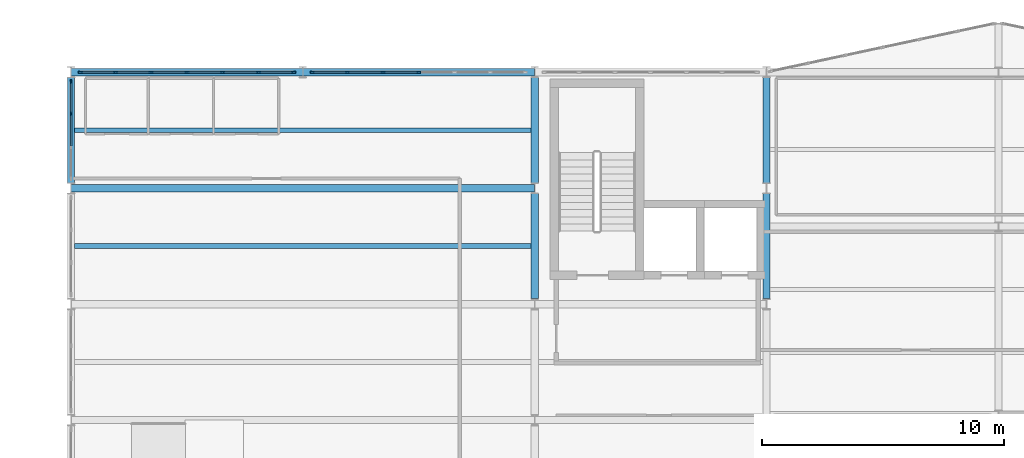
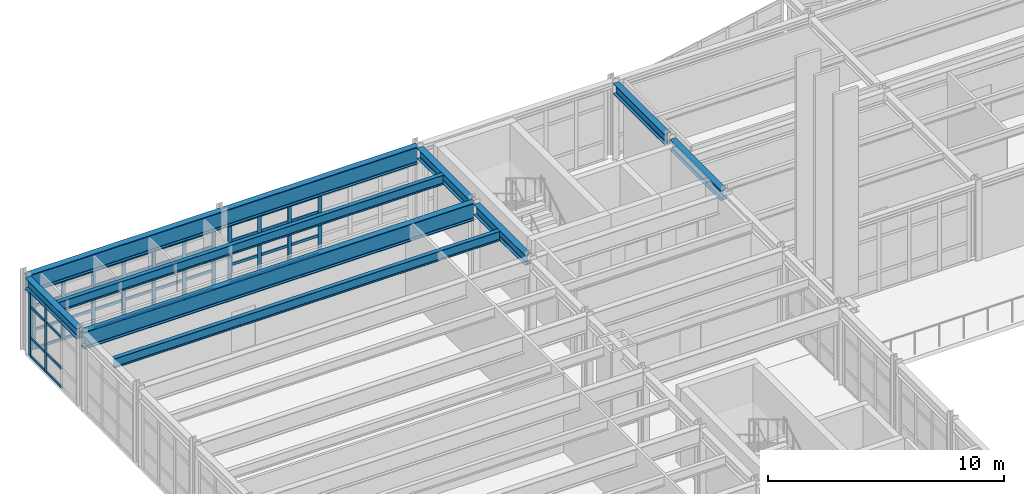
# One storey, part 20 of 47: 57 members, 9 beams, 3 elements without a shape of their own.
"""IFC4 building model written with IfcOpenShell, lengths in metres."""

from ifc_helpers import new_model, si_unit, direction, frame, origin, origin_2d, place, context, subcontext, project, spatial, rectangle, i_section, extrude, material, layer, layer_set, material_profile, profile_set, type_object, element, aggregate, save


model = new_model("IFC4")

# Units and contexts
model_context = context("Model", 3, precision=1e-05, world=origin(), true_north=direction((0.0, 1.0)))
body_context = subcontext(model_context, "Body", "Model", "MODEL_VIEW")
ifc_project = project(units=[si_unit("LENGTHUNIT", "METRE"), si_unit("AREAUNIT", "SQUARE_METRE"), si_unit("VOLUMEUNIT", "CUBIC_METRE"), si_unit("PLANEANGLEUNIT", "RADIAN"), si_unit("MASSUNIT", "GRAM", prefix="KILO")], contexts=[model_context])

# Site, building, storey
site_placement = place(None, origin())
site = spatial("IfcSite", under=ifc_project, at=site_placement, CompositionType="ELEMENT")
building_placement = place(site_placement, origin())
building = spatial("IfcBuilding", under=site, at=building_placement, Name="Nordkorset Police Headquarters", CompositionType="ELEMENT")
storey_placement = place(building_placement, frame((0.0, 0.0, 22.050048828125)))
storey = spatial("IfcBuildingStorey", under=building, at=storey_placement, Name="L05", CompositionType="ELEMENT", Elevation=22.050048828125)

# Beams
ifc_material_1 = material(Name="Steel S355J2", Category="steel")
ifc_material_profile_1 = material_profile(ifc_material_1, i_section(OverallWidth=0.199951171875, OverallDepth=0.5, WebThickness=0.01025390625, FlangeThickness=0.01611328125, FilletRadius=0.02099609375, at=origin_2d()), Name="IPE 500")
ifc_profile_set_1 = profile_set([ifc_material_profile_1], Name="Steel S355J2")
beam_type_1 = type_object("IfcBeamType", Name="Beam_IPE_500", PredefinedType="BEAM", material=ifc_profile_set_1)
for number, where, z_axis, x_axis, name in (
    (1, (0.14990234375, 109.60009765625, 3.75), (1.0, 0.0, 0.0), (0.0, 1.0, 0.0), "Composite Floor Beam V1 L05 0-5-1"),
    (2, (0.14990234375, 114.39990234375, 3.75), (1.0, 0.0, 0.0), (0.0, 1.0, 0.0), "Composite Floor Beam V1 L05 0-6-1"),
):
    element("IfcBeam", number, at=place(storey_placement, frame(where, z_axis=z_axis, x_axis=x_axis)), inside=storey, type_object=beam_type_1, Name=name, PredefinedType="BEAM", context=body_context, shape_type="SweptSolid", body=[
        extrude(i_section(OverallWidth=0.199951171875, OverallDepth=0.5, WebThickness=0.01025390625, FlangeThickness=0.01611328125, FilletRadius=0.02099609375, at=origin_2d()), origin(), (0.0, 0.0, 1.0), 18.900146484375),
    ])

# Curtain wall, members
ifc_material_2 = material(Name="Aluminium alloy AW-6060", Category="aluminium")
ifc_layer_1 = layer(ifc_material_2, 0.179931640625, Name="Aluminium alloy AW-6060")
ifc_layer_set_1 = layer_set([ifc_layer_1], Name="Aluminium alloy AW-6060")
curtain_wall_type_1 = type_object("IfcCurtainWallType", Name="CW_Unit_408x344", PredefinedType="USERDEFINED", material=ifc_layer_set_1)
curtain_wall_1_placement = place(storey_placement, origin())
curtain_wall_1 = element("IfcCurtainWall", 3, at=curtain_wall_1_placement, inside=storey, type_object=curtain_wall_type_1, Name="Unitised Curtain Wall L05 V1W-6", ObjectType="UNITISED CURTAIN WALL", PredefinedType="USERDEFINED")
ifc_material_3 = material(Name="Aluminium alloy AW-6060", Category="aluminium")
ifc_material_profile_2 = material_profile(ifc_material_3, rectangle(XDim=0.06494140625, YDim=0.179931640625, at=origin_2d()), Name="ALU MULL 65x180")
ifc_profile_set_2 = profile_set([ifc_material_profile_2], Name="Aluminium alloy AW-6060")
member_type_1 = type_object("IfcMemberType", Name="CW_Mullion_65x180", PredefinedType="MULLION", material=ifc_profile_set_2)
member_1_placement = place(storey_placement, frame((0.0, 115.080078125, 0.0), z_axis=(0.0, 0.0, 1.0), x_axis=(-1.0, 0.0, 0.0)))
member_1 = element("IfcMember", 4, at=member_1_placement, type_object=member_type_1, Name="CW-29 mullion 3", PredefinedType="MULLION", context=body_context, shape_type="SweptSolid", body=[
    extrude(rectangle(XDim=0.06494140625, YDim=0.179931640625, at=origin_2d()), origin(), (0.0, 0.0, 1.0), 3.43994140625),
])
member_2_placement = place(storey_placement, frame((0.0, 116.407470703125, 0.0), z_axis=(0.0, 0.0, 1.0), x_axis=(-1.0, 0.0, 0.0)))
member_2 = element("IfcMember", 5, at=member_2_placement, type_object=member_type_1, Name="CW-29 mullion 4", PredefinedType="MULLION", context=body_context, shape_type="SweptSolid", body=[
    extrude(rectangle(XDim=0.06494140625, YDim=0.179931640625, at=origin_2d()), origin(), (0.0, 0.0, 1.0), 3.43994140625),
])

ifc_material_4 = material(Name="Aluminium alloy AW-6060", Category="aluminium")
ifc_layer_2 = layer(ifc_material_4, 0.179931640625, Name="Aluminium alloy AW-6060")
ifc_layer_set_2 = layer_set([ifc_layer_2], Name="Aluminium alloy AW-6060")
curtain_wall_type_2 = type_object("IfcCurtainWallType", Name="CW_Unit_888x308", PredefinedType="USERDEFINED", material=ifc_layer_set_2)
curtain_wall_2_placement = place(storey_placement, origin())
curtain_wall_2 = element("IfcCurtainWall", 6, at=curtain_wall_2_placement, inside=storey, type_object=curtain_wall_type_2, Name="Unitised Curtain Wall L05 V1N-0", ObjectType="UNITISED CURTAIN WALL", PredefinedType="USERDEFINED")
member_3_placement = place(storey_placement, frame((0.392578125, 116.800048828125, 0.0), z_axis=(0.0, 0.0, 1.0), x_axis=(0.0, 1.0, 0.0)))
member_3 = element("IfcMember", 7, at=member_3_placement, type_object=member_type_1, Name="CW-81 mullion 1", PredefinedType="MULLION", context=body_context, shape_type="SweptSolid", body=[
    extrude(rectangle(XDim=0.06494140625, YDim=0.179931640625, at=origin_2d()), origin(), (0.0, 0.0, 1.0), 3.079833984375),
])
member_4_placement = place(storey_placement, frame((1.840087890625, 116.800048828125, 0.0), z_axis=(0.0, 0.0, 1.0), x_axis=(0.0, 1.0, 0.0)))
member_4 = element("IfcMember", 8, at=member_4_placement, type_object=member_type_1, Name="CW-81 mullion 2", PredefinedType="MULLION", context=body_context, shape_type="SweptSolid", body=[
    extrude(rectangle(XDim=0.06494140625, YDim=0.179931640625, at=origin_2d()), origin(), (0.0, 0.0, 1.0), 3.079833984375),
])
member_5_placement = place(storey_placement, frame((3.320068359375, 116.800048828125, 0.0), z_axis=(0.0, 0.0, 1.0), x_axis=(0.0, 1.0, 0.0)))
member_5 = element("IfcMember", 9, at=member_5_placement, type_object=member_type_1, Name="CW-81 mullion 3", PredefinedType="MULLION", context=body_context, shape_type="SweptSolid", body=[
    extrude(rectangle(XDim=0.06494140625, YDim=0.179931640625, at=origin_2d()), origin(), (0.0, 0.0, 1.0), 3.079833984375),
])
member_6_placement = place(storey_placement, frame((4.800048828125, 116.800048828125, 0.0), z_axis=(0.0, 0.0, 1.0), x_axis=(0.0, 1.0, 0.0)))
member_6 = element("IfcMember", 10, at=member_6_placement, type_object=member_type_1, Name="CW-81 mullion 4", PredefinedType="MULLION", context=body_context, shape_type="SweptSolid", body=[
    extrude(rectangle(XDim=0.06494140625, YDim=0.179931640625, at=origin_2d()), origin(), (0.0, 0.0, 1.0), 3.079833984375),
])
member_7_placement = place(storey_placement, frame((6.280029296875, 116.800048828125, 0.0), z_axis=(0.0, 0.0, 1.0), x_axis=(0.0, 1.0, 0.0)))
member_7 = element("IfcMember", 11, at=member_7_placement, type_object=member_type_1, Name="CW-81 mullion 5", PredefinedType="MULLION", context=body_context, shape_type="SweptSolid", body=[
    extrude(rectangle(XDim=0.06494140625, YDim=0.179931640625, at=origin_2d()), origin(), (0.0, 0.0, 1.0), 3.079833984375),
])
member_8_placement = place(storey_placement, frame((7.760009765625, 116.800048828125, 0.0), z_axis=(0.0, 0.0, 1.0), x_axis=(0.0, 1.0, 0.0)))
member_8 = element("IfcMember", 12, at=member_8_placement, type_object=member_type_1, Name="CW-81 mullion 6", PredefinedType="MULLION", context=body_context, shape_type="SweptSolid", body=[
    extrude(rectangle(XDim=0.06494140625, YDim=0.179931640625, at=origin_2d()), origin(), (0.0, 0.0, 1.0), 3.079833984375),
])
member_9_placement = place(storey_placement, frame((9.20751953125, 116.800048828125, 0.0), z_axis=(0.0, 0.0, 1.0), x_axis=(0.0, 1.0, 0.0)))
member_9 = element("IfcMember", 13, at=member_9_placement, type_object=member_type_1, Name="CW-81 mullion 7", PredefinedType="MULLION", context=body_context, shape_type="SweptSolid", body=[
    extrude(rectangle(XDim=0.06494140625, YDim=0.179931640625, at=origin_2d()), origin(), (0.0, 0.0, 1.0), 3.079833984375),
])

curtain_wall_3_placement = place(storey_placement, origin())
curtain_wall_3 = element("IfcCurtainWall", 14, at=curtain_wall_3_placement, inside=storey, type_object=curtain_wall_type_2, Name="Unitised Curtain Wall L05 V1N-1", ObjectType="UNITISED CURTAIN WALL", PredefinedType="USERDEFINED")
member_10_placement = place(storey_placement, frame((9.992431640625, 116.800048828125, 0.0), z_axis=(0.0, 0.0, 1.0), x_axis=(0.0, 1.0, 0.0)))
member_10 = element("IfcMember", 15, at=member_10_placement, type_object=member_type_1, Name="CW-81 mullion 1", PredefinedType="MULLION", context=body_context, shape_type="SweptSolid", body=[
    extrude(rectangle(XDim=0.06494140625, YDim=0.179931640625, at=origin_2d()), origin(), (0.0, 0.0, 1.0), 3.079833984375),
])
member_11_placement = place(storey_placement, frame((11.43994140625, 116.800048828125, 0.0), z_axis=(0.0, 0.0, 1.0), x_axis=(0.0, 1.0, 0.0)))
member_11 = element("IfcMember", 16, at=member_11_placement, type_object=member_type_1, Name="CW-81 mullion 2", PredefinedType="MULLION", context=body_context, shape_type="SweptSolid", body=[
    extrude(rectangle(XDim=0.06494140625, YDim=0.179931640625, at=origin_2d()), origin(), (0.0, 0.0, 1.0), 3.079833984375),
])
member_12_placement = place(storey_placement, frame((12.919921875, 116.800048828125, 0.0), z_axis=(0.0, 0.0, 1.0), x_axis=(0.0, 1.0, 0.0)))
member_12 = element("IfcMember", 17, at=member_12_placement, type_object=member_type_1, Name="CW-81 mullion 3", PredefinedType="MULLION", context=body_context, shape_type="SweptSolid", body=[
    extrude(rectangle(XDim=0.06494140625, YDim=0.179931640625, at=origin_2d()), origin(), (0.0, 0.0, 1.0), 3.079833984375),
])
member_13_placement = place(storey_placement, frame((14.39990234375, 116.800048828125, 0.0), z_axis=(0.0, 0.0, 1.0), x_axis=(0.0, 1.0, 0.0)))
member_13 = element("IfcMember", 18, at=member_13_placement, type_object=member_type_1, Name="CW-81 mullion 4", PredefinedType="MULLION", context=body_context, shape_type="SweptSolid", body=[
    extrude(rectangle(XDim=0.06494140625, YDim=0.179931640625, at=origin_2d()), origin(), (0.0, 0.0, 1.0), 3.079833984375),
])

# Member
ifc_material_5 = material(Name="Aluminium alloy AW-6060", Category="aluminium")
ifc_material_profile_3 = material_profile(ifc_material_5, rectangle(XDim=0.06494140625, YDim=0.139892578125, at=origin_2d()), Name="ALU TRAN 65x140")
ifc_profile_set_3 = profile_set([ifc_material_profile_3], Name="Aluminium alloy AW-6060")
member_type_2 = type_object("IfcMemberType", Name="CW_Transom_65x140", PredefinedType="USERDEFINED", material=ifc_profile_set_3)
member_14_placement = place(storey_placement, frame((0.0, 113.75244140625, 0.032470703125), z_axis=(0.0, 1.0, 0.0), x_axis=(-1.0, 0.0, 0.0)))
member_14 = element("IfcMember", 19, at=member_14_placement, type_object=member_type_2, Name="CW-29 transom 2.1", ObjectType="TRANSOM", PredefinedType="USERDEFINED", context=body_context, shape_type="SweptSolid", body=[
    extrude(rectangle(XDim=0.06494140625, YDim=0.139892578125, at=origin_2d()), origin(), (0.0, 0.0, 1.0), 1.295166015625),
])

member_15_placement = place(storey_placement, frame((0.0, 113.75244140625, 1.0), z_axis=(0.0, 1.0, 0.0), x_axis=(-1.0, 0.0, 0.0)))
member_15 = element("IfcMember", 20, at=member_15_placement, type_object=member_type_2, Name="CW-29 transom 2.2", ObjectType="TRANSOM", PredefinedType="USERDEFINED", context=body_context, shape_type="SweptSolid", body=[
    extrude(rectangle(XDim=0.06494140625, YDim=0.139892578125, at=origin_2d()), origin(), (0.0, 0.0, 1.0), 1.295166015625),
])

member_16_placement = place(storey_placement, frame((0.0, 113.75244140625, 2.58984375), z_axis=(0.0, 1.0, 0.0), x_axis=(-1.0, 0.0, 0.0)))
member_16 = element("IfcMember", 21, at=member_16_placement, type_object=member_type_2, Name="CW-29 transom 2.3", ObjectType="TRANSOM", PredefinedType="USERDEFINED", context=body_context, shape_type="SweptSolid", body=[
    extrude(rectangle(XDim=0.06494140625, YDim=0.139892578125, at=origin_2d()), origin(), (0.0, 0.0, 1.0), 1.295166015625),
])

member_17_placement = place(storey_placement, frame((0.0, 113.75244140625, 3.407470703125), z_axis=(0.0, 1.0, 0.0), x_axis=(-1.0, 0.0, 0.0)))
member_17 = element("IfcMember", 22, at=member_17_placement, type_object=member_type_2, Name="CW-29 transom 2.4", ObjectType="TRANSOM", PredefinedType="USERDEFINED", context=body_context, shape_type="SweptSolid", body=[
    extrude(rectangle(XDim=0.06494140625, YDim=0.139892578125, at=origin_2d()), origin(), (0.0, 0.0, 1.0), 1.295166015625),
])

member_18_placement = place(storey_placement, frame((0.0, 115.112548828125, 0.032470703125), z_axis=(0.0, 1.0, 0.0), x_axis=(-1.0, 0.0, 0.0)))
member_18 = element("IfcMember", 23, at=member_18_placement, type_object=member_type_2, Name="CW-29 transom 3.1", ObjectType="TRANSOM", PredefinedType="USERDEFINED", context=body_context, shape_type="SweptSolid", body=[
    extrude(rectangle(XDim=0.06494140625, YDim=0.139892578125, at=origin_2d()), origin(), (0.0, 0.0, 1.0), 1.262451171875),
])

member_19_placement = place(storey_placement, frame((0.0, 115.112548828125, 1.0), z_axis=(0.0, 1.0, 0.0), x_axis=(-1.0, 0.0, 0.0)))
member_19 = element("IfcMember", 24, at=member_19_placement, type_object=member_type_2, Name="CW-29 transom 3.2", ObjectType="TRANSOM", PredefinedType="USERDEFINED", context=body_context, shape_type="SweptSolid", body=[
    extrude(rectangle(XDim=0.06494140625, YDim=0.139892578125, at=origin_2d()), origin(), (0.0, 0.0, 1.0), 1.262451171875),
])

member_20_placement = place(storey_placement, frame((0.0, 115.112548828125, 2.58984375), z_axis=(0.0, 1.0, 0.0), x_axis=(-1.0, 0.0, 0.0)))
member_20 = element("IfcMember", 25, at=member_20_placement, type_object=member_type_2, Name="CW-29 transom 3.3", ObjectType="TRANSOM", PredefinedType="USERDEFINED", context=body_context, shape_type="SweptSolid", body=[
    extrude(rectangle(XDim=0.06494140625, YDim=0.139892578125, at=origin_2d()), origin(), (0.0, 0.0, 1.0), 1.262451171875),
])

member_21_placement = place(storey_placement, frame((0.0, 115.112548828125, 3.407470703125), z_axis=(0.0, 1.0, 0.0), x_axis=(-1.0, 0.0, 0.0)))
member_21 = element("IfcMember", 26, at=member_21_placement, type_object=member_type_2, Name="CW-29 transom 3.4", ObjectType="TRANSOM", PredefinedType="USERDEFINED", context=body_context, shape_type="SweptSolid", body=[
    extrude(rectangle(XDim=0.06494140625, YDim=0.139892578125, at=origin_2d()), origin(), (0.0, 0.0, 1.0), 1.262451171875),
])

aggregate(curtain_wall_1, [member_1, member_2, member_14, member_15, member_16, member_17, member_18, member_19, member_20, member_21])

member_22_placement = place(storey_placement, frame((0.425048828125, 116.800048828125, 0.032470703125), z_axis=(1.0, 0.0, 0.0), x_axis=(0.0, 1.0, 0.0)))
member_22 = element("IfcMember", 27, at=member_22_placement, type_object=member_type_2, Name="CW-81 transom 1.1", ObjectType="TRANSOM", PredefinedType="USERDEFINED", context=body_context, shape_type="SweptSolid", body=[
    extrude(rectangle(XDim=0.06494140625, YDim=0.139892578125, at=origin_2d()), origin(), (0.0, 0.0, 1.0), 1.382568359375),
])

member_23_placement = place(storey_placement, frame((0.425048828125, 116.800048828125, 1.0), z_axis=(1.0, 0.0, 0.0), x_axis=(0.0, 1.0, 0.0)))
member_23 = element("IfcMember", 28, at=member_23_placement, type_object=member_type_2, Name="CW-81 transom 1.2", ObjectType="TRANSOM", PredefinedType="USERDEFINED", context=body_context, shape_type="SweptSolid", body=[
    extrude(rectangle(XDim=0.06494140625, YDim=0.139892578125, at=origin_2d()), origin(), (0.0, 0.0, 1.0), 1.382568359375),
])

member_24_placement = place(storey_placement, frame((0.425048828125, 116.800048828125, 2.22998046875), z_axis=(1.0, 0.0, 0.0), x_axis=(0.0, 1.0, 0.0)))
member_24 = element("IfcMember", 29, at=member_24_placement, type_object=member_type_2, Name="CW-81 transom 1.3", ObjectType="TRANSOM", PredefinedType="USERDEFINED", context=body_context, shape_type="SweptSolid", body=[
    extrude(rectangle(XDim=0.06494140625, YDim=0.139892578125, at=origin_2d()), origin(), (0.0, 0.0, 1.0), 1.382568359375),
])

member_25_placement = place(storey_placement, frame((0.425048828125, 116.800048828125, 3.04736328125), z_axis=(1.0, 0.0, 0.0), x_axis=(0.0, 1.0, 0.0)))
member_25 = element("IfcMember", 30, at=member_25_placement, type_object=member_type_2, Name="CW-81 transom 1.4", ObjectType="TRANSOM", PredefinedType="USERDEFINED", context=body_context, shape_type="SweptSolid", body=[
    extrude(rectangle(XDim=0.06494140625, YDim=0.139892578125, at=origin_2d()), origin(), (0.0, 0.0, 1.0), 1.382568359375),
])

member_26_placement = place(storey_placement, frame((1.87255859375, 116.800048828125, 0.032470703125), z_axis=(1.0, 0.0, 0.0), x_axis=(0.0, 1.0, 0.0)))
member_26 = element("IfcMember", 31, at=member_26_placement, type_object=member_type_2, Name="CW-81 transom 2.1", ObjectType="TRANSOM", PredefinedType="USERDEFINED", context=body_context, shape_type="SweptSolid", body=[
    extrude(rectangle(XDim=0.06494140625, YDim=0.139892578125, at=origin_2d()), origin(), (0.0, 0.0, 1.0), 1.4150390625),
])

member_27_placement = place(storey_placement, frame((1.87255859375, 116.800048828125, 1.0), z_axis=(1.0, 0.0, 0.0), x_axis=(0.0, 1.0, 0.0)))
member_27 = element("IfcMember", 32, at=member_27_placement, type_object=member_type_2, Name="CW-81 transom 2.2", ObjectType="TRANSOM", PredefinedType="USERDEFINED", context=body_context, shape_type="SweptSolid", body=[
    extrude(rectangle(XDim=0.06494140625, YDim=0.139892578125, at=origin_2d()), origin(), (0.0, 0.0, 1.0), 1.4150390625),
])

member_28_placement = place(storey_placement, frame((1.87255859375, 116.800048828125, 2.22998046875), z_axis=(1.0, 0.0, 0.0), x_axis=(0.0, 1.0, 0.0)))
member_28 = element("IfcMember", 33, at=member_28_placement, type_object=member_type_2, Name="CW-81 transom 2.3", ObjectType="TRANSOM", PredefinedType="USERDEFINED", context=body_context, shape_type="SweptSolid", body=[
    extrude(rectangle(XDim=0.06494140625, YDim=0.139892578125, at=origin_2d()), origin(), (0.0, 0.0, 1.0), 1.4150390625),
])

member_29_placement = place(storey_placement, frame((1.87255859375, 116.800048828125, 3.04736328125), z_axis=(1.0, 0.0, 0.0), x_axis=(0.0, 1.0, 0.0)))
member_29 = element("IfcMember", 34, at=member_29_placement, type_object=member_type_2, Name="CW-81 transom 2.4", ObjectType="TRANSOM", PredefinedType="USERDEFINED", context=body_context, shape_type="SweptSolid", body=[
    extrude(rectangle(XDim=0.06494140625, YDim=0.139892578125, at=origin_2d()), origin(), (0.0, 0.0, 1.0), 1.4150390625),
])

member_30_placement = place(storey_placement, frame((3.3525390625, 116.800048828125, 0.032470703125), z_axis=(1.0, 0.0, 0.0), x_axis=(0.0, 1.0, 0.0)))
member_30 = element("IfcMember", 35, at=member_30_placement, type_object=member_type_2, Name="CW-81 transom 3.1", ObjectType="TRANSOM", PredefinedType="USERDEFINED", context=body_context, shape_type="SweptSolid", body=[
    extrude(rectangle(XDim=0.06494140625, YDim=0.139892578125, at=origin_2d()), origin(), (0.0, 0.0, 1.0), 1.4150390625),
])

member_31_placement = place(storey_placement, frame((3.3525390625, 116.800048828125, 1.0), z_axis=(1.0, 0.0, 0.0), x_axis=(0.0, 1.0, 0.0)))
member_31 = element("IfcMember", 36, at=member_31_placement, type_object=member_type_2, Name="CW-81 transom 3.2", ObjectType="TRANSOM", PredefinedType="USERDEFINED", context=body_context, shape_type="SweptSolid", body=[
    extrude(rectangle(XDim=0.06494140625, YDim=0.139892578125, at=origin_2d()), origin(), (0.0, 0.0, 1.0), 1.4150390625),
])

member_32_placement = place(storey_placement, frame((3.3525390625, 116.800048828125, 2.22998046875), z_axis=(1.0, 0.0, 0.0), x_axis=(0.0, 1.0, 0.0)))
member_32 = element("IfcMember", 37, at=member_32_placement, type_object=member_type_2, Name="CW-81 transom 3.3", ObjectType="TRANSOM", PredefinedType="USERDEFINED", context=body_context, shape_type="SweptSolid", body=[
    extrude(rectangle(XDim=0.06494140625, YDim=0.139892578125, at=origin_2d()), origin(), (0.0, 0.0, 1.0), 1.4150390625),
])

member_33_placement = place(storey_placement, frame((3.3525390625, 116.800048828125, 3.04736328125), z_axis=(1.0, 0.0, 0.0), x_axis=(0.0, 1.0, 0.0)))
member_33 = element("IfcMember", 38, at=member_33_placement, type_object=member_type_2, Name="CW-81 transom 3.4", ObjectType="TRANSOM", PredefinedType="USERDEFINED", context=body_context, shape_type="SweptSolid", body=[
    extrude(rectangle(XDim=0.06494140625, YDim=0.139892578125, at=origin_2d()), origin(), (0.0, 0.0, 1.0), 1.4150390625),
])

member_34_placement = place(storey_placement, frame((4.83251953125, 116.800048828125, 0.032470703125), z_axis=(1.0, 0.0, 0.0), x_axis=(0.0, 1.0, 0.0)))
member_34 = element("IfcMember", 39, at=member_34_placement, type_object=member_type_2, Name="CW-81 transom 4.1", ObjectType="TRANSOM", PredefinedType="USERDEFINED", context=body_context, shape_type="SweptSolid", body=[
    extrude(rectangle(XDim=0.06494140625, YDim=0.139892578125, at=origin_2d()), origin(), (0.0, 0.0, 1.0), 1.4150390625),
])

member_35_placement = place(storey_placement, frame((4.83251953125, 116.800048828125, 1.0), z_axis=(1.0, 0.0, 0.0), x_axis=(0.0, 1.0, 0.0)))
member_35 = element("IfcMember", 40, at=member_35_placement, type_object=member_type_2, Name="CW-81 transom 4.2", ObjectType="TRANSOM", PredefinedType="USERDEFINED", context=body_context, shape_type="SweptSolid", body=[
    extrude(rectangle(XDim=0.06494140625, YDim=0.139892578125, at=origin_2d()), origin(), (0.0, 0.0, 1.0), 1.4150390625),
])

member_36_placement = place(storey_placement, frame((4.83251953125, 116.800048828125, 2.22998046875), z_axis=(1.0, 0.0, 0.0), x_axis=(0.0, 1.0, 0.0)))
member_36 = element("IfcMember", 41, at=member_36_placement, type_object=member_type_2, Name="CW-81 transom 4.3", ObjectType="TRANSOM", PredefinedType="USERDEFINED", context=body_context, shape_type="SweptSolid", body=[
    extrude(rectangle(XDim=0.06494140625, YDim=0.139892578125, at=origin_2d()), origin(), (0.0, 0.0, 1.0), 1.4150390625),
])

member_37_placement = place(storey_placement, frame((4.83251953125, 116.800048828125, 3.04736328125), z_axis=(1.0, 0.0, 0.0), x_axis=(0.0, 1.0, 0.0)))
member_37 = element("IfcMember", 42, at=member_37_placement, type_object=member_type_2, Name="CW-81 transom 4.4", ObjectType="TRANSOM", PredefinedType="USERDEFINED", context=body_context, shape_type="SweptSolid", body=[
    extrude(rectangle(XDim=0.06494140625, YDim=0.139892578125, at=origin_2d()), origin(), (0.0, 0.0, 1.0), 1.4150390625),
])

member_38_placement = place(storey_placement, frame((6.3125, 116.800048828125, 0.032470703125), z_axis=(1.0, 0.0, 0.0), x_axis=(0.0, 1.0, 0.0)))
member_38 = element("IfcMember", 43, at=member_38_placement, type_object=member_type_2, Name="CW-81 transom 5.1", ObjectType="TRANSOM", PredefinedType="USERDEFINED", context=body_context, shape_type="SweptSolid", body=[
    extrude(rectangle(XDim=0.06494140625, YDim=0.139892578125, at=origin_2d()), origin(), (0.0, 0.0, 1.0), 1.4150390625),
])

member_39_placement = place(storey_placement, frame((6.3125, 116.800048828125, 1.0), z_axis=(1.0, 0.0, 0.0), x_axis=(0.0, 1.0, 0.0)))
member_39 = element("IfcMember", 44, at=member_39_placement, type_object=member_type_2, Name="CW-81 transom 5.2", ObjectType="TRANSOM", PredefinedType="USERDEFINED", context=body_context, shape_type="SweptSolid", body=[
    extrude(rectangle(XDim=0.06494140625, YDim=0.139892578125, at=origin_2d()), origin(), (0.0, 0.0, 1.0), 1.4150390625),
])

member_40_placement = place(storey_placement, frame((6.3125, 116.800048828125, 2.22998046875), z_axis=(1.0, 0.0, 0.0), x_axis=(0.0, 1.0, 0.0)))
member_40 = element("IfcMember", 45, at=member_40_placement, type_object=member_type_2, Name="CW-81 transom 5.3", ObjectType="TRANSOM", PredefinedType="USERDEFINED", context=body_context, shape_type="SweptSolid", body=[
    extrude(rectangle(XDim=0.06494140625, YDim=0.139892578125, at=origin_2d()), origin(), (0.0, 0.0, 1.0), 1.4150390625),
])

member_41_placement = place(storey_placement, frame((6.3125, 116.800048828125, 3.04736328125), z_axis=(1.0, 0.0, 0.0), x_axis=(0.0, 1.0, 0.0)))
member_41 = element("IfcMember", 46, at=member_41_placement, type_object=member_type_2, Name="CW-81 transom 5.4", ObjectType="TRANSOM", PredefinedType="USERDEFINED", context=body_context, shape_type="SweptSolid", body=[
    extrude(rectangle(XDim=0.06494140625, YDim=0.139892578125, at=origin_2d()), origin(), (0.0, 0.0, 1.0), 1.4150390625),
])

member_42_placement = place(storey_placement, frame((7.79248046875, 116.800048828125, 0.032470703125), z_axis=(1.0, 0.0, 0.0), x_axis=(0.0, 1.0, 0.0)))
member_42 = element("IfcMember", 47, at=member_42_placement, type_object=member_type_2, Name="CW-81 transom 6.1", ObjectType="TRANSOM", PredefinedType="USERDEFINED", context=body_context, shape_type="SweptSolid", body=[
    extrude(rectangle(XDim=0.06494140625, YDim=0.139892578125, at=origin_2d()), origin(), (0.0, 0.0, 1.0), 1.382568359375),
])

member_43_placement = place(storey_placement, frame((7.79248046875, 116.800048828125, 1.0), z_axis=(1.0, 0.0, 0.0), x_axis=(0.0, 1.0, 0.0)))
member_43 = element("IfcMember", 48, at=member_43_placement, type_object=member_type_2, Name="CW-81 transom 6.2", ObjectType="TRANSOM", PredefinedType="USERDEFINED", context=body_context, shape_type="SweptSolid", body=[
    extrude(rectangle(XDim=0.06494140625, YDim=0.139892578125, at=origin_2d()), origin(), (0.0, 0.0, 1.0), 1.382568359375),
])

member_44_placement = place(storey_placement, frame((7.79248046875, 116.800048828125, 2.22998046875), z_axis=(1.0, 0.0, 0.0), x_axis=(0.0, 1.0, 0.0)))
member_44 = element("IfcMember", 49, at=member_44_placement, type_object=member_type_2, Name="CW-81 transom 6.3", ObjectType="TRANSOM", PredefinedType="USERDEFINED", context=body_context, shape_type="SweptSolid", body=[
    extrude(rectangle(XDim=0.06494140625, YDim=0.139892578125, at=origin_2d()), origin(), (0.0, 0.0, 1.0), 1.382568359375),
])

member_45_placement = place(storey_placement, frame((7.79248046875, 116.800048828125, 3.04736328125), z_axis=(1.0, 0.0, 0.0), x_axis=(0.0, 1.0, 0.0)))
member_45 = element("IfcMember", 50, at=member_45_placement, type_object=member_type_2, Name="CW-81 transom 6.4", ObjectType="TRANSOM", PredefinedType="USERDEFINED", context=body_context, shape_type="SweptSolid", body=[
    extrude(rectangle(XDim=0.06494140625, YDim=0.139892578125, at=origin_2d()), origin(), (0.0, 0.0, 1.0), 1.382568359375),
])

aggregate(curtain_wall_2, [member_3, member_4, member_5, member_6, member_7, member_8, member_9, member_22, member_23, member_24, member_25, member_26, member_27, member_28, member_29, member_30, member_31, member_32, member_33, member_34, member_35, member_36, member_37, member_38, member_39, member_40, member_41, member_42, member_43, member_44, member_45])

member_46_placement = place(storey_placement, frame((10.02490234375, 116.800048828125, 0.032470703125), z_axis=(1.0, 0.0, 0.0), x_axis=(0.0, 1.0, 0.0)))
member_46 = element("IfcMember", 51, at=member_46_placement, type_object=member_type_2, Name="CW-81 transom 1.1", ObjectType="TRANSOM", PredefinedType="USERDEFINED", context=body_context, shape_type="SweptSolid", body=[
    extrude(rectangle(XDim=0.06494140625, YDim=0.139892578125, at=origin_2d()), origin(), (0.0, 0.0, 1.0), 1.382568359375),
])

member_47_placement = place(storey_placement, frame((10.02490234375, 116.800048828125, 1.0), z_axis=(1.0, 0.0, 0.0), x_axis=(0.0, 1.0, 0.0)))
member_47 = element("IfcMember", 52, at=member_47_placement, type_object=member_type_2, Name="CW-81 transom 1.2", ObjectType="TRANSOM", PredefinedType="USERDEFINED", context=body_context, shape_type="SweptSolid", body=[
    extrude(rectangle(XDim=0.06494140625, YDim=0.139892578125, at=origin_2d()), origin(), (0.0, 0.0, 1.0), 1.382568359375),
])

member_48_placement = place(storey_placement, frame((10.02490234375, 116.800048828125, 2.22998046875), z_axis=(1.0, 0.0, 0.0), x_axis=(0.0, 1.0, 0.0)))
member_48 = element("IfcMember", 53, at=member_48_placement, type_object=member_type_2, Name="CW-81 transom 1.3", ObjectType="TRANSOM", PredefinedType="USERDEFINED", context=body_context, shape_type="SweptSolid", body=[
    extrude(rectangle(XDim=0.06494140625, YDim=0.139892578125, at=origin_2d()), origin(), (0.0, 0.0, 1.0), 1.382568359375),
])

member_49_placement = place(storey_placement, frame((10.02490234375, 116.800048828125, 3.04736328125), z_axis=(1.0, 0.0, 0.0), x_axis=(0.0, 1.0, 0.0)))
member_49 = element("IfcMember", 54, at=member_49_placement, type_object=member_type_2, Name="CW-81 transom 1.4", ObjectType="TRANSOM", PredefinedType="USERDEFINED", context=body_context, shape_type="SweptSolid", body=[
    extrude(rectangle(XDim=0.06494140625, YDim=0.139892578125, at=origin_2d()), origin(), (0.0, 0.0, 1.0), 1.382568359375),
])

member_50_placement = place(storey_placement, frame((11.472412109375, 116.800048828125, 0.032470703125), z_axis=(1.0, 0.0, 0.0), x_axis=(0.0, 1.0, 0.0)))
member_50 = element("IfcMember", 55, at=member_50_placement, type_object=member_type_2, Name="CW-81 transom 2.1", ObjectType="TRANSOM", PredefinedType="USERDEFINED", context=body_context, shape_type="SweptSolid", body=[
    extrude(rectangle(XDim=0.06494140625, YDim=0.139892578125, at=origin_2d()), origin(), (0.0, 0.0, 1.0), 1.4150390625),
])

member_51_placement = place(storey_placement, frame((11.472412109375, 116.800048828125, 1.0), z_axis=(1.0, 0.0, 0.0), x_axis=(0.0, 1.0, 0.0)))
member_51 = element("IfcMember", 56, at=member_51_placement, type_object=member_type_2, Name="CW-81 transom 2.2", ObjectType="TRANSOM", PredefinedType="USERDEFINED", context=body_context, shape_type="SweptSolid", body=[
    extrude(rectangle(XDim=0.06494140625, YDim=0.139892578125, at=origin_2d()), origin(), (0.0, 0.0, 1.0), 1.4150390625),
])

member_52_placement = place(storey_placement, frame((11.472412109375, 116.800048828125, 2.22998046875), z_axis=(1.0, 0.0, 0.0), x_axis=(0.0, 1.0, 0.0)))
member_52 = element("IfcMember", 57, at=member_52_placement, type_object=member_type_2, Name="CW-81 transom 2.3", ObjectType="TRANSOM", PredefinedType="USERDEFINED", context=body_context, shape_type="SweptSolid", body=[
    extrude(rectangle(XDim=0.06494140625, YDim=0.139892578125, at=origin_2d()), origin(), (0.0, 0.0, 1.0), 1.4150390625),
])

member_53_placement = place(storey_placement, frame((11.472412109375, 116.800048828125, 3.04736328125), z_axis=(1.0, 0.0, 0.0), x_axis=(0.0, 1.0, 0.0)))
member_53 = element("IfcMember", 58, at=member_53_placement, type_object=member_type_2, Name="CW-81 transom 2.4", ObjectType="TRANSOM", PredefinedType="USERDEFINED", context=body_context, shape_type="SweptSolid", body=[
    extrude(rectangle(XDim=0.06494140625, YDim=0.139892578125, at=origin_2d()), origin(), (0.0, 0.0, 1.0), 1.4150390625),
])

member_54_placement = place(storey_placement, frame((12.952392578125, 116.800048828125, 0.032470703125), z_axis=(1.0, 0.0, 0.0), x_axis=(0.0, 1.0, 0.0)))
member_54 = element("IfcMember", 59, at=member_54_placement, type_object=member_type_2, Name="CW-81 transom 3.1", ObjectType="TRANSOM", PredefinedType="USERDEFINED", context=body_context, shape_type="SweptSolid", body=[
    extrude(rectangle(XDim=0.06494140625, YDim=0.139892578125, at=origin_2d()), origin(), (0.0, 0.0, 1.0), 1.4150390625),
])

member_55_placement = place(storey_placement, frame((12.952392578125, 116.800048828125, 1.0), z_axis=(1.0, 0.0, 0.0), x_axis=(0.0, 1.0, 0.0)))
member_55 = element("IfcMember", 60, at=member_55_placement, type_object=member_type_2, Name="CW-81 transom 3.2", ObjectType="TRANSOM", PredefinedType="USERDEFINED", context=body_context, shape_type="SweptSolid", body=[
    extrude(rectangle(XDim=0.06494140625, YDim=0.139892578125, at=origin_2d()), origin(), (0.0, 0.0, 1.0), 1.4150390625),
])

member_56_placement = place(storey_placement, frame((12.952392578125, 116.800048828125, 2.22998046875), z_axis=(1.0, 0.0, 0.0), x_axis=(0.0, 1.0, 0.0)))
member_56 = element("IfcMember", 61, at=member_56_placement, type_object=member_type_2, Name="CW-81 transom 3.3", ObjectType="TRANSOM", PredefinedType="USERDEFINED", context=body_context, shape_type="SweptSolid", body=[
    extrude(rectangle(XDim=0.06494140625, YDim=0.139892578125, at=origin_2d()), origin(), (0.0, 0.0, 1.0), 1.4150390625),
])

member_57_placement = place(storey_placement, frame((12.952392578125, 116.800048828125, 3.04736328125), z_axis=(1.0, 0.0, 0.0), x_axis=(0.0, 1.0, 0.0)))
member_57 = element("IfcMember", 62, at=member_57_placement, type_object=member_type_2, Name="CW-81 transom 3.4", ObjectType="TRANSOM", PredefinedType="USERDEFINED", context=body_context, shape_type="SweptSolid", body=[
    extrude(rectangle(XDim=0.06494140625, YDim=0.139892578125, at=origin_2d()), origin(), (0.0, 0.0, 1.0), 1.4150390625),
])

aggregate(curtain_wall_3, [member_10, member_11, member_12, member_13, member_46, member_47, member_48, member_49, member_50, member_51, member_52, member_53, member_54, member_55, member_56, member_57])

# Beams
ifc_material_6 = material(Name="Steel S355J2", Category="steel")
ifc_material_profile_4 = material_profile(ifc_material_6, i_section(OverallWidth=0.300048828125, OverallDepth=0.5400390625, WebThickness=0.012451171875, FlangeThickness=0.02392578125, FilletRadius=0.027099609375, at=origin_2d()), Name="HEA 550")
ifc_profile_set_4 = profile_set([ifc_material_profile_4], Name="Steel S355J2")
beam_type_2 = type_object("IfcBeamType", Name="Girder_HEA_550", PredefinedType="USERDEFINED", material=ifc_profile_set_4)
for number, where, z_axis, x_axis, name in (
    (63, (0.0, 112.22509765625, 3.72998046875), (0.0, 1.0, 0.0), (-1.0, 0.0, 0.0), "Girder V1 L05 GY-0-6"),
    (64, (19.199951171875, 107.425048828125, 3.72998046875), (0.0, 1.0, 0.0), (-1.0, 0.0, 0.0), "Girder V1 L05 GY-1-5"),
    (65, (19.199951171875, 112.22509765625, 3.72998046875), (0.0, 1.0, 0.0), (-1.0, 0.0, 0.0), "Girder V1 L05 GY-1-6"),
    (66, (28.800048828125, 107.425048828125, 3.72998046875), (0.0, 1.0, 0.0), (-1.0, 0.0, 0.0), "Girder V1 L05 GY-2-5"),
    (67, (28.800048828125, 112.22509765625, 3.72998046875), (0.0, 1.0, 0.0), (-1.0, 0.0, 0.0), "Girder V1 L05 GY-2-6"),
):
    element("IfcBeam", number, at=place(storey_placement, frame(where, z_axis=z_axis, x_axis=x_axis)), inside=storey, type_object=beam_type_2, Name=name, ObjectType="GIRDER", PredefinedType="USERDEFINED", context=body_context, shape_type="SweptSolid", body=[
        extrude(i_section(OverallWidth=0.300048828125, OverallDepth=0.5400390625, WebThickness=0.012451171875, FlangeThickness=0.02392578125, FilletRadius=0.027099609375, at=origin_2d()), origin(), (0.0, 0.0, 1.0), 4.349853515625),
    ])
ifc_material_7 = material(Name="Steel S355J2", Category="steel")
ifc_material_profile_5 = material_profile(ifc_material_7, i_section(OverallWidth=0.300048828125, OverallDepth=0.89990234375, WebThickness=0.0185546875, FlangeThickness=0.034912109375, FilletRadius=0.030029296875, at=origin_2d()), Name="HEB 900")
ifc_profile_set_5 = profile_set([ifc_material_profile_5], Name="Steel S355J2")
beam_type_3 = type_object("IfcBeamType", Name="Girder_HEB_900", PredefinedType="USERDEFINED", material=ifc_profile_set_5)
for number, where, z_axis, x_axis, name in (
    (68, (0.007080078125, 112.0, 3.550048828125), (1.0, 0.0, 0.0), (0.0, 1.0, 0.0), "Girder V1 L05 GX-6-0"),
    (69, (0.007080078125, 116.800048828125, 3.550048828125), (1.0, 0.0, 0.0), (0.0, 1.0, 0.0), "Girder V1 L05 GX-7-0"),
):
    element("IfcBeam", number, at=place(storey_placement, frame(where, z_axis=z_axis, x_axis=x_axis)), inside=storey, type_object=beam_type_3, Name=name, ObjectType="GIRDER", PredefinedType="USERDEFINED", context=body_context, shape_type="SweptSolid", body=[
        extrude(i_section(OverallWidth=0.300048828125, OverallDepth=0.89990234375, WebThickness=0.0185546875, FlangeThickness=0.034912109375, FilletRadius=0.030029296875, at=origin_2d()), origin(), (0.0, 0.0, 1.0), 19.18603515625),
    ])

save(model, "model.ifc")
